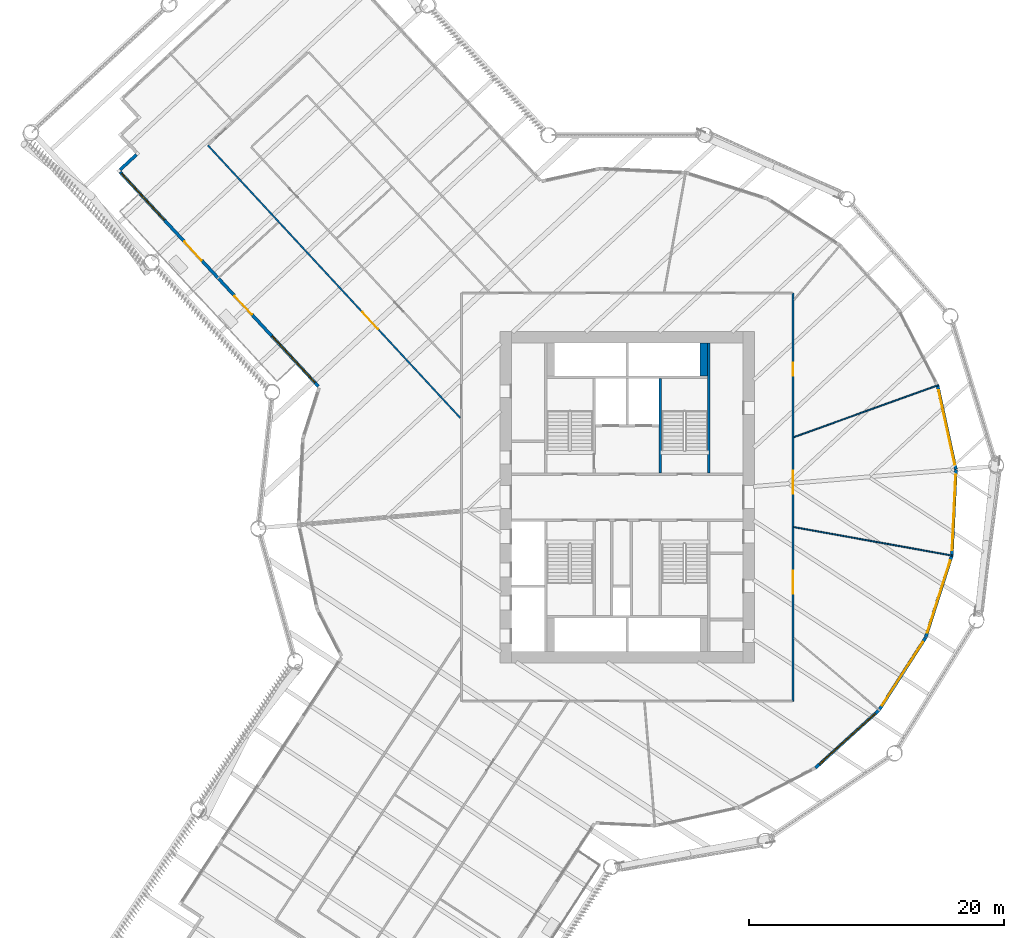
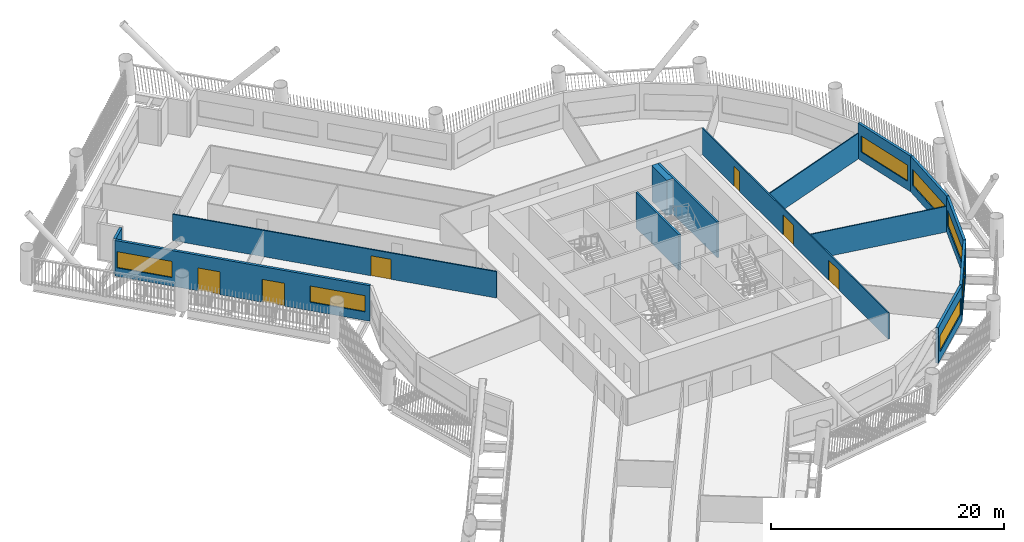
# One storey, part 6 of 22: 14 walls, 7 windows, 6 doors, 13 openings.
"""IFC4 building model written with IfcOpenShell, lengths in metres."""

from ifc_helpers import new_model, si_unit, direction, frame, frame_2d, origin, place, context, subcontext, project, spatial, rectangle, extrude, material, layer, layer_set, type_object, element, fill, save


model = new_model("IFC4")

# Units and contexts
model_context = context("Model", 3, precision=1e-05, world=origin(), true_north=direction((0.0, 1.0)))
body_context = subcontext(model_context, "Body", "Model", "MODEL_VIEW")
ifc_project = project(units=[si_unit("LENGTHUNIT", "METRE"), si_unit("AREAUNIT", "SQUARE_METRE"), si_unit("VOLUMEUNIT", "CUBIC_METRE"), si_unit("PLANEANGLEUNIT", "RADIAN"), si_unit("MASSUNIT", "GRAM", prefix="KILO")], contexts=[model_context])

# Site, building, storey
site_placement = place(None, origin())
site = spatial("IfcSite", under=ifc_project, at=site_placement, CompositionType="ELEMENT")
building_placement = place(site_placement, origin())
building = spatial("IfcBuilding", under=site, at=building_placement, Name="Tarsis Ring Headquarters", CompositionType="ELEMENT")
storey_placement = place(building_placement, frame((0.0, 0.0, 63.39990234375)))
storey = spatial("IfcBuildingStorey", under=building, at=storey_placement, Name="L13", CompositionType="ELEMENT", Elevation=63.39990234375)

# Walls
ifc_material_1 = material(Name="Gypsum board on steel studs", Category="steel")
ifc_layer_1 = layer(ifc_material_1, 0.10009765625)
ifc_layer_set_1 = layer_set([ifc_layer_1], Name="FL partition 100 unrated")
wall_type_1 = type_object("IfcWallType", Name="FL partition 100 unrated", PredefinedType="PARTITIONING", material=ifc_layer_set_1)
wall_1_placement = place(storey_placement, frame((13.06884765625, -2.3515625, 0.0), z_axis=(0.0, 0.0, 1.0), x_axis=(0.984197230571, -0.177075722039, 0.0)))
element("IfcWall", 1, at=wall_1_placement, inside=storey, type_object=wall_type_1, Name="Partition PW3", PredefinedType="PARTITIONING", context=body_context, shape_type="SweptSolid", body=[
    extrude(rectangle(XDim=12.669189453125, YDim=0.10009765625, at=frame_2d((6.33447265625, 0.0))), origin(), (0.0, 0.0, 1.0), 2.7001953125),
])
wall_2_placement = place(storey_placement, frame((13.0751953125, 4.70751953125, 0.0), z_axis=(0.0, 0.0, 1.0), x_axis=(0.94088405447, 0.338728794237, 0.0)))
element("IfcWall", 2, at=wall_2_placement, inside=storey, type_object=wall_type_1, Name="Partition PW3", PredefinedType="PARTITIONING", context=body_context, shape_type="SweptSolid", body=[
    extrude(rectangle(XDim=12.051025390625, YDim=0.10009765625, at=frame_2d((6.025390625, 0.0))), origin(), (0.0, 0.0, 1.0), 2.7001953125),
])

# Wall, openings, doors
ifc_layer_2 = layer(ifc_material_1, 0.125)
ifc_layer_set_2 = layer_set([ifc_layer_2], Name="FL partition 125 EI 60 H2770")
wall_type_2 = type_object("IfcWallType", Name="FL partition 125 EI 60 H2770", PredefinedType="PARTITIONING", material=ifc_layer_set_2)
wall_3_placement = place(storey_placement, frame((13.0, -16.0, 0.0), z_axis=(0.0, 0.0, 1.0), x_axis=(0.0, 1.0, 0.0)))
wall_3 = element("IfcWall", 3, at=wall_3_placement, inside=storey, type_object=wall_type_2, Name="Partition PW1", PredefinedType="PARTITIONING", context=body_context, shape_type="SweptSolid", body=[
    extrude(rectangle(XDim=32.0, YDim=0.125, at=frame_2d((16.0, 0.0))), origin(), (0.0, 0.0, 1.0), 2.77001953125),
])
opening_1_placement = place(wall_3_placement, frame((25.531982421875, 0.0, 0.0)))
opening_1 = element("IfcOpeningElement", 4, at=opening_1_placement, cuts=wall_3, Name="Opening D13.04", PredefinedType="OPENING", context=body_context, shape_type="SweptSolid", body=[
    extrude(rectangle(XDim=1.0, YDim=2.10009765625, at=frame_2d((0.5, 1.050048828125))), frame((0.0, 0.072509765625, 0.0), z_axis=(0.0, -1.0, 0.0), x_axis=(1.0, 0.0, 0.0)), (0.0, 0.0, 1.0), 0.14501953125),
])
opening_2_placement = place(wall_3_placement, frame((16.2705078125, 0.0, 0.0)))
opening_2 = element("IfcOpeningElement", 5, at=opening_2_placement, cuts=wall_3, Name="Opening D13.05", PredefinedType="OPENING", context=body_context, shape_type="SweptSolid", body=[
    extrude(rectangle(XDim=1.800048828125, YDim=2.10009765625, at=frame_2d((0.89990234375, 1.050048828125))), frame((0.0, 0.072509765625, 0.0), z_axis=(0.0, -1.0, 0.0), x_axis=(1.0, 0.0, 0.0)), (0.0, 0.0, 1.0), 0.14501953125),
])
opening_3_placement = place(wall_3_placement, frame((8.4375, 0.0, 0.0)))
opening_3 = element("IfcOpeningElement", 6, at=opening_3_placement, cuts=wall_3, Name="Opening D13.06", PredefinedType="OPENING", context=body_context, shape_type="SweptSolid", body=[
    extrude(rectangle(XDim=1.800048828125, YDim=2.10009765625, at=frame_2d((0.89990234375, 1.050048828125))), frame((0.0, 0.072509765625, 0.0), z_axis=(0.0, -1.0, 0.0), x_axis=(1.0, 0.0, 0.0)), (0.0, 0.0, 1.0), 0.14501953125),
])
ifc_material_2 = material(Name="Fire-rated timber door leaf in steel frame", Category="steel")
door_type_1 = type_object("IfcDoorType", Name="FL door FD60-1000", OperationType="NOTDEFINED", PredefinedType="DOOR", material=ifc_material_2)
door_1_placement = place(opening_1_placement, origin())
door_1 = element("IfcDoor", 7, at=door_1_placement, inside=storey, type_object=door_type_1, Name="Door D13.04", OperationType="SINGLE_SWING_LEFT", OverallHeight=2.10009765625, OverallWidth=1.0, PredefinedType="DOOR", context=body_context, shape_type="SweptSolid", body=[
    extrude(rectangle(XDim=1.0, YDim=2.10009765625, at=frame_2d((0.5, 1.050048828125))), frame((0.0, 0.02490234375, 0.0), z_axis=(0.0, -1.0, 0.0), x_axis=(1.0, 0.0, 0.0)), (0.0, 0.0, 1.0), 0.050048828125),
])
fill(opening_1, door_1)
door_type_2 = type_object("IfcDoorType", Name="FL door FD60-1800", OperationType="DOUBLE_DOOR_SINGLE_SWING", PredefinedType="DOOR", material=ifc_material_2)
door_2_placement = place(opening_2_placement, origin())
door_2 = element("IfcDoor", 8, at=door_2_placement, inside=storey, type_object=door_type_2, Name="Door D13.05", OperationType="DOUBLE_DOOR_SINGLE_SWING", OverallHeight=2.10009765625, OverallWidth=1.800048828125, PredefinedType="DOOR", context=body_context, shape_type="SweptSolid", body=[
    extrude(rectangle(XDim=1.800048828125, YDim=2.10009765625, at=frame_2d((0.89990234375, 1.050048828125))), frame((0.0, 0.02490234375, 0.0), z_axis=(0.0, -1.0, 0.0), x_axis=(1.0, 0.0, 0.0)), (0.0, 0.0, 1.0), 0.050048828125),
])
fill(opening_2, door_2)
door_3_placement = place(opening_3_placement, origin())
door_3 = element("IfcDoor", 9, at=door_3_placement, inside=storey, type_object=door_type_2, Name="Door D13.06", OperationType="DOUBLE_DOOR_SINGLE_SWING", OverallHeight=2.10009765625, OverallWidth=1.800048828125, PredefinedType="DOOR", context=body_context, shape_type="SweptSolid", body=[
    extrude(rectangle(XDim=1.800048828125, YDim=2.10009765625, at=frame_2d((0.89990234375, 1.050048828125))), frame((0.0, 0.02490234375, 0.0), z_axis=(0.0, -1.0, 0.0), x_axis=(1.0, 0.0, 0.0)), (0.0, 0.0, 1.0), 0.050048828125),
])
fill(opening_3, door_3)

# Wall, opening, door
wall_4_placement = place(storey_placement, frame((-32.89892578125, 27.5947265625, 0.0), z_axis=(0.0, 0.0, 1.0), x_axis=(0.679438429969, -0.733732526116, 0.0)))
wall_4 = element("IfcWall", 10, at=wall_4_placement, inside=storey, type_object=wall_type_2, Name="Partition PW1", PredefinedType="PARTITIONING", context=body_context, shape_type="SweptSolid", body=[
    extrude(rectangle(XDim=29.147216796875, YDim=0.125, at=frame_2d((14.57373046875, 0.0))), origin(), (0.0, 0.0, 1.0), 2.77001953125),
])
opening_4_placement = place(wall_4_placement, frame((17.836669921875, 0.0, 0.0)))
opening_4 = element("IfcOpeningElement", 11, at=opening_4_placement, cuts=wall_4, Name="Opening D13.12", PredefinedType="OPENING", context=body_context, shape_type="SweptSolid", body=[
    extrude(rectangle(XDim=1.800048828125, YDim=2.10009765625, at=frame_2d((0.89990234375, 1.050048828125))), frame((0.0, 0.072509765625, 0.0), z_axis=(0.0, -1.0, 0.0), x_axis=(1.0, 0.0, 0.0)), (0.0, 0.0, 1.0), 0.14501953125),
])
door_4_placement = place(opening_4_placement, origin())
door_4 = element("IfcDoor", 12, at=door_4_placement, inside=storey, type_object=door_type_2, Name="Door D13.12", OperationType="DOUBLE_DOOR_SINGLE_SWING", OverallHeight=2.10009765625, OverallWidth=1.800048828125, PredefinedType="DOOR", context=body_context, shape_type="SweptSolid", body=[
    extrude(rectangle(XDim=1.800048828125, YDim=2.10009765625, at=frame_2d((0.89990234375, 1.050048828125))), frame((0.0, 0.02490234375, 0.0), z_axis=(0.0, -1.0, 0.0), x_axis=(1.0, 0.0, 0.0)), (0.0, 0.0, 1.0), 0.050048828125),
])
fill(opening_4, door_4)

# Wall, openings, doors, windows
ifc_material_3 = material(Name="Terracotta clad insulated panel wall", Category="masonry")
ifc_layer_3 = layer(ifc_material_3, 0.25)
ifc_layer_set_3 = layer_set([ifc_layer_3], Name="Facade wall terracotta panel 250")
wall_type_3 = type_object("IfcWallType", Name="Facade wall terracotta panel 250", PredefinedType="STANDARD", material=ifc_layer_set_3)
wall_5_placement = place(storey_placement, frame((-39.79736328125, 25.499755859375, 0.0), z_axis=(0.0, 0.0, 1.0), x_axis=(0.679436066497, -0.733734714692, 0.0)))
wall_5 = element("IfcWall", 13, at=wall_5_placement, inside=storey, type_object=wall_type_3, Name="External wall L13-01", PredefinedType="STANDARD", context=body_context, shape_type="SweptSolid", body=[
    extrude(rectangle(XDim=22.921875, YDim=0.25, at=frame_2d((11.4609375, 0.0))), origin(), (0.0, 0.0, 1.0), 3.739990234375),
])
opening_5_placement = place(wall_5_placement, frame((0.17138671875, 0.0, 0.89990234375)))
opening_5 = element("IfcOpeningElement", 14, at=opening_5_placement, cuts=wall_5, Name="Opening WN05", PredefinedType="OPENING", context=body_context, shape_type="SweptSolid", body=[
    extrude(rectangle(XDim=4.949951171875, YDim=1.699951171875, at=frame_2d((2.47509765625, 0.85009765625))), frame((0.0, 0.135009765625, 0.0), z_axis=(0.0, -1.0, 0.0), x_axis=(1.0, 0.0, 0.0)), (0.0, 0.0, 1.0), 0.27001953125),
])
opening_6_placement = place(wall_5_placement, frame((7.439453125, 0.0, 0.0)))
opening_6 = element("IfcOpeningElement", 15, at=opening_6_placement, cuts=wall_5, Name="Opening L13-BD01", PredefinedType="OPENING", context=body_context, shape_type="SweptSolid", body=[
    extrude(rectangle(XDim=2.0, YDim=2.39990234375, at=frame_2d((1.0, 1.199951171875))), frame((0.0, 0.135009765625, 0.0), z_axis=(0.0, -1.0, 0.0), x_axis=(1.0, 0.0, 0.0)), (0.0, 0.0, 1.0), 0.27001953125),
])
opening_7_placement = place(wall_5_placement, frame((13.232421875, 0.0, 0.0)))
opening_7 = element("IfcOpeningElement", 16, at=opening_7_placement, cuts=wall_5, Name="Opening L13-BD02", PredefinedType="OPENING", context=body_context, shape_type="SweptSolid", body=[
    extrude(rectangle(XDim=2.0, YDim=2.39990234375, at=frame_2d((1.0, 1.199951171875))), frame((0.0, 0.135009765625, 0.0), z_axis=(0.0, -1.0, 0.0), x_axis=(1.0, 0.0, 0.0)), (0.0, 0.0, 1.0), 0.27001953125),
])
opening_8_placement = place(wall_5_placement, frame((17.550537109375, 0.0, 0.89990234375)))
opening_8 = element("IfcOpeningElement", 17, at=opening_8_placement, cuts=wall_5, Name="Opening WN05", PredefinedType="OPENING", context=body_context, shape_type="SweptSolid", body=[
    extrude(rectangle(XDim=4.949951171875, YDim=1.699951171875, at=frame_2d((2.47509765625, 0.85009765625))), frame((0.0, 0.135009765625, 0.0), z_axis=(0.0, -1.0, 0.0), x_axis=(1.0, 0.0, 0.0)), (0.0, 0.0, 1.0), 0.27001953125),
])
ifc_material_4 = material(Name="Aluminium framed double glazing", Category="aluminium")
door_type_3 = type_object("IfcDoorType", Name="Balcony sliding door 2000 x 2400", OperationType="SLIDING_TO_LEFT", PredefinedType="DOOR", material=ifc_material_4)
door_5_placement = place(opening_6_placement, origin())
door_5 = element("IfcDoor", 18, at=door_5_placement, inside=storey, type_object=door_type_3, Name="Door L13-BD01", OperationType="SINGLE_SWING_LEFT", OverallHeight=2.39990234375, OverallWidth=2.0, PredefinedType="DOOR", context=body_context, shape_type="SweptSolid", body=[
    extrude(rectangle(XDim=2.0, YDim=2.39990234375, at=frame_2d((1.0, 1.199951171875))), frame((0.0, 0.02490234375, 0.0), z_axis=(0.0, -1.0, 0.0), x_axis=(1.0, 0.0, 0.0)), (0.0, 0.0, 1.0), 0.050048828125),
])
fill(opening_6, door_5)
door_6_placement = place(opening_7_placement, origin())
door_6 = element("IfcDoor", 19, at=door_6_placement, inside=storey, type_object=door_type_3, Name="Door L13-BD02", OperationType="SINGLE_SWING_LEFT", OverallHeight=2.39990234375, OverallWidth=2.0, PredefinedType="DOOR", context=body_context, shape_type="SweptSolid", body=[
    extrude(rectangle(XDim=2.0, YDim=2.39990234375, at=frame_2d((1.0, 1.199951171875))), frame((0.0, 0.02490234375, 0.0), z_axis=(0.0, -1.0, 0.0), x_axis=(1.0, 0.0, 0.0)), (0.0, 0.0, 1.0), 0.050048828125),
])
fill(opening_7, door_6)
window_type_1 = type_object("IfcWindowType", Name="Facade window 4950 x 1700", PartitioningType="SINGLE_PANEL", PredefinedType="WINDOW", material=ifc_material_4)
window_1_placement = place(opening_5_placement, origin())
window_1 = element("IfcWindow", 20, at=window_1_placement, inside=storey, type_object=window_type_1, Name="Window L13-01.1", OverallHeight=1.699951171875, OverallWidth=4.949951171875, PartitioningType="SINGLE_PANEL", PredefinedType="WINDOW", context=body_context, shape_type="SweptSolid", body=[
    extrude(rectangle(XDim=4.949951171875, YDim=1.699951171875, at=frame_2d((2.47509765625, 0.85009765625))), frame((0.0, 0.030029296875, 0.0), z_axis=(0.0, -1.0, 0.0), x_axis=(1.0, 0.0, 0.0)), (0.0, 0.0, 1.0), 0.06005859375),
])
fill(opening_5, window_1)
window_2_placement = place(opening_8_placement, origin())
window_2 = element("IfcWindow", 21, at=window_2_placement, inside=storey, type_object=window_type_1, Name="Window L13-01.4", OverallHeight=1.699951171875, OverallWidth=4.949951171875, PartitioningType="SINGLE_PANEL", PredefinedType="WINDOW", context=body_context, shape_type="SweptSolid", body=[
    extrude(rectangle(XDim=4.949951171875, YDim=1.699951171875, at=frame_2d((2.47509765625, 0.85009765625))), frame((0.0, 0.030029296875, 0.0), z_axis=(0.0, -1.0, 0.0), x_axis=(1.0, 0.0, 0.0)), (0.0, 0.0, 1.0), 0.06005859375),
])
fill(opening_8, window_2)

# Wall, opening, window
wall_6_placement = place(storey_placement, frame((14.77880859375, -21.2353515625, 0.0), z_axis=(0.0, 0.0, 1.0), x_axis=(0.739629365562, 0.673014414109, 0.0)))
wall_6 = element("IfcWall", 22, at=wall_6_placement, inside=storey, type_object=wall_type_3, Name="External wall L13-20", PredefinedType="STANDARD", context=body_context, shape_type="SweptSolid", body=[
    extrude(rectangle(XDim=6.721435546875, YDim=0.25, at=frame_2d((3.36083984375, 0.0))), origin(), (0.0, 0.0, 1.0), 3.739990234375),
])
opening_9_placement = place(wall_6_placement, frame((0.3857421875, 0.0, 0.89990234375)))
opening_9 = element("IfcOpeningElement", 23, at=opening_9_placement, cuts=wall_6, Name="Opening WN07", PredefinedType="OPENING", context=body_context, shape_type="SweptSolid", body=[
    extrude(rectangle(XDim=5.949951171875, YDim=1.699951171875, at=frame_2d((2.97509765625, 0.85009765625))), frame((0.0, 0.135009765625, 0.0), z_axis=(0.0, -1.0, 0.0), x_axis=(1.0, 0.0, 0.0)), (0.0, 0.0, 1.0), 0.27001953125),
])
window_type_2 = type_object("IfcWindowType", Name="Facade window 5950 x 1700", PartitioningType="SINGLE_PANEL", PredefinedType="WINDOW", material=ifc_material_4)
window_3_placement = place(opening_9_placement, origin())
window_3 = element("IfcWindow", 24, at=window_3_placement, inside=storey, type_object=window_type_2, Name="Window L13-20.1", OverallHeight=1.699951171875, OverallWidth=5.949951171875, PartitioningType="SINGLE_PANEL", PredefinedType="WINDOW", context=body_context, shape_type="SweptSolid", body=[
    extrude(rectangle(XDim=5.949951171875, YDim=1.699951171875, at=frame_2d((2.97509765625, 0.85009765625))), frame((0.0, 0.030029296875, 0.0), z_axis=(0.0, -1.0, 0.0), x_axis=(1.0, 0.0, 0.0)), (0.0, 0.0, 1.0), 0.06005859375),
])
fill(opening_9, window_3)

wall_7_placement = place(storey_placement, frame((19.771240234375, -16.686767578125, 0.0), z_axis=(0.0, 0.0, 1.0), x_axis=(0.54025082343, 0.841504039077, 0.0)))
wall_7 = element("IfcWall", 25, at=wall_7_placement, inside=storey, type_object=wall_type_3, Name="External wall L13-21", PredefinedType="STANDARD", context=body_context, shape_type="SweptSolid", body=[
    extrude(rectangle(XDim=6.7216796875, YDim=0.25, at=frame_2d((3.36083984375, 0.0))), origin(), (0.0, 0.0, 1.0), 3.739990234375),
])
opening_10_placement = place(wall_7_placement, frame((0.3857421875, 0.0, 0.89990234375)))
opening_10 = element("IfcOpeningElement", 26, at=opening_10_placement, cuts=wall_7, Name="Opening WN07", PredefinedType="OPENING", context=body_context, shape_type="SweptSolid", body=[
    extrude(rectangle(XDim=5.949951171875, YDim=1.699951171875, at=frame_2d((2.97509765625, 0.85009765625))), frame((0.0, 0.135009765625, 0.0), z_axis=(0.0, -1.0, 0.0), x_axis=(1.0, 0.0, 0.0)), (0.0, 0.0, 1.0), 0.27001953125),
])
window_4_placement = place(opening_10_placement, origin())
window_4 = element("IfcWindow", 27, at=window_4_placement, inside=storey, type_object=window_type_2, Name="Window L13-21.1", OverallHeight=1.699951171875, OverallWidth=5.949951171875, PartitioningType="SINGLE_PANEL", PredefinedType="WINDOW", context=body_context, shape_type="SweptSolid", body=[
    extrude(rectangle(XDim=5.949951171875, YDim=1.699951171875, at=frame_2d((2.97509765625, 0.85009765625))), frame((0.0, 0.030029296875, 0.0), z_axis=(0.0, -1.0, 0.0), x_axis=(1.0, 0.0, 0.0)), (0.0, 0.0, 1.0), 0.06005859375),
])
fill(opening_10, window_4)

wall_8_placement = place(storey_placement, frame((23.41650390625, -11.0009765625, 0.0), z_axis=(0.0, 0.0, 1.0), x_axis=(0.30401913235, 0.952665926317, 0.0)))
wall_8 = element("IfcWall", 28, at=wall_8_placement, inside=storey, type_object=wall_type_3, Name="External wall L13-22", PredefinedType="STANDARD", context=body_context, shape_type="SweptSolid", body=[
    extrude(rectangle(XDim=6.721435546875, YDim=0.25, at=frame_2d((3.36083984375, 0.0))), origin(), (0.0, 0.0, 1.0), 3.739990234375),
])
opening_11_placement = place(wall_8_placement, frame((0.3857421875, 0.0, 0.89990234375)))
opening_11 = element("IfcOpeningElement", 29, at=opening_11_placement, cuts=wall_8, Name="Opening WN07", PredefinedType="OPENING", context=body_context, shape_type="SweptSolid", body=[
    extrude(rectangle(XDim=5.949951171875, YDim=1.699951171875, at=frame_2d((2.97509765625, 0.85009765625))), frame((0.0, 0.135009765625, 0.0), z_axis=(0.0, -1.0, 0.0), x_axis=(1.0, 0.0, 0.0)), (0.0, 0.0, 1.0), 0.27001953125),
])
window_5_placement = place(opening_11_placement, origin())
window_5 = element("IfcWindow", 30, at=window_5_placement, inside=storey, type_object=window_type_2, Name="Window L13-22.1", OverallHeight=1.699951171875, OverallWidth=5.949951171875, PartitioningType="SINGLE_PANEL", PredefinedType="WINDOW", context=body_context, shape_type="SweptSolid", body=[
    extrude(rectangle(XDim=5.949951171875, YDim=1.699951171875, at=frame_2d((2.97509765625, 0.85009765625))), frame((0.0, 0.030029296875, 0.0), z_axis=(0.0, -1.0, 0.0), x_axis=(1.0, 0.0, 0.0)), (0.0, 0.0, 1.0), 0.06005859375),
])
fill(opening_11, window_5)

wall_9_placement = place(storey_placement, frame((25.4658203125, -4.5654296875, 0.0), z_axis=(0.0, 0.0, 1.0), x_axis=(0.047109558842, 0.998889728381, 0.0)))
wall_9 = element("IfcWall", 31, at=wall_9_placement, inside=storey, type_object=wall_type_3, Name="External wall L13-23", PredefinedType="STANDARD", context=body_context, shape_type="SweptSolid", body=[
    extrude(rectangle(XDim=6.7216796875, YDim=0.25, at=frame_2d((3.36083984375, 0.0))), origin(), (0.0, 0.0, 1.0), 3.739990234375),
])
opening_12_placement = place(wall_9_placement, frame((0.3857421875, 0.0, 0.89990234375)))
opening_12 = element("IfcOpeningElement", 32, at=opening_12_placement, cuts=wall_9, Name="Opening WN07", PredefinedType="OPENING", context=body_context, shape_type="SweptSolid", body=[
    extrude(rectangle(XDim=5.949951171875, YDim=1.699951171875, at=frame_2d((2.97509765625, 0.85009765625))), frame((0.0, 0.135009765625, 0.0), z_axis=(0.0, -1.0, 0.0), x_axis=(1.0, 0.0, 0.0)), (0.0, 0.0, 1.0), 0.27001953125),
])
window_6_placement = place(opening_12_placement, origin())
window_6 = element("IfcWindow", 33, at=window_6_placement, inside=storey, type_object=window_type_2, Name="Window L13-23.1", OverallHeight=1.699951171875, OverallWidth=5.949951171875, PartitioningType="SINGLE_PANEL", PredefinedType="WINDOW", context=body_context, shape_type="SweptSolid", body=[
    extrude(rectangle(XDim=5.949951171875, YDim=1.699951171875, at=frame_2d((2.97509765625, 0.85009765625))), frame((0.0, 0.030029296875, 0.0), z_axis=(0.0, -1.0, 0.0), x_axis=(1.0, 0.0, 0.0)), (0.0, 0.0, 1.0), 0.06005859375),
])
fill(opening_12, window_6)

wall_10_placement = place(storey_placement, frame((25.77978515625, 2.18115234375, 0.0), z_axis=(0.0, 0.0, 1.0), x_axis=(-0.213032797169, 0.977045048772, 0.0)))
wall_10 = element("IfcWall", 34, at=wall_10_placement, inside=storey, type_object=wall_type_3, Name="External wall L13-24", PredefinedType="STANDARD", context=body_context, shape_type="SweptSolid", body=[
    extrude(rectangle(XDim=6.721435546875, YDim=0.25, at=frame_2d((3.36083984375, 0.0))), origin(), (0.0, 0.0, 1.0), 3.739990234375),
])
opening_13_placement = place(wall_10_placement, frame((0.3857421875, 0.0, 0.89990234375)))
opening_13 = element("IfcOpeningElement", 35, at=opening_13_placement, cuts=wall_10, Name="Opening WN07", PredefinedType="OPENING", context=body_context, shape_type="SweptSolid", body=[
    extrude(rectangle(XDim=5.949951171875, YDim=1.699951171875, at=frame_2d((2.97509765625, 0.85009765625))), frame((0.0, 0.135009765625, 0.0), z_axis=(0.0, -1.0, 0.0), x_axis=(1.0, 0.0, 0.0)), (0.0, 0.0, 1.0), 0.27001953125),
])
window_7_placement = place(opening_13_placement, origin())
window_7 = element("IfcWindow", 36, at=window_7_placement, inside=storey, type_object=window_type_2, Name="Window L13-24.1", OverallHeight=1.699951171875, OverallWidth=5.949951171875, PartitioningType="SINGLE_PANEL", PredefinedType="WINDOW", context=body_context, shape_type="SweptSolid", body=[
    extrude(rectangle(XDim=5.949951171875, YDim=1.699951171875, at=frame_2d((2.97509765625, 0.85009765625))), frame((0.0, 0.030029296875, 0.0), z_axis=(0.0, -1.0, 0.0), x_axis=(1.0, 0.0, 0.0)), (0.0, 0.0, 1.0), 0.06005859375),
])
fill(opening_13, window_7)

# Walls
wall_11_placement = place(storey_placement, frame((-38.506591796875, 26.865478515625, 0.0), z_axis=(0.0, 0.0, 1.0), x_axis=(-0.733786431084, -0.67938021281, 0.0)))
element("IfcWall", 37, at=wall_11_placement, inside=storey, type_object=wall_type_3, Name="External wall L13-40", PredefinedType="STANDARD", context=body_context, shape_type="SweptSolid", body=[
    extrude(rectangle(XDim=1.75, YDim=0.25, at=frame_2d((0.875, 0.0))), origin(), (0.0, 0.0, 1.0), 3.739990234375),
])
ifc_material_5 = material(Name="Concrete C32/40", Category="concrete")
ifc_layer_4 = layer(ifc_material_5, 0.60009765625)
ifc_layer_set_4 = layer_set([ifc_layer_4], Name="Shaft end wall 600 C32/40")
wall_type_4 = type_object("IfcWallType", Name="Shaft end wall 600 C32/40", PredefinedType="SOLIDWALL", material=ifc_layer_set_4)
wall_12_placement = place(storey_placement, frame((6.0, 9.5, 0.0), z_axis=(0.0, 0.0, 1.0), x_axis=(0.0, 1.0, 0.0)))
element("IfcWall", 38, at=wall_12_placement, inside=storey, type_object=wall_type_4, Name="Core shaft wall NNE2", PredefinedType="SOLIDWALL", context=body_context, shape_type="SweptSolid", body=[
    extrude(rectangle(XDim=2.60009765625, YDim=0.60009765625, at=frame_2d((1.300048828125, 0.0))), origin(), (0.0, 0.0, 1.0), 3.739990234375),
])
ifc_layer_5 = layer(ifc_material_5, 0.199951171875)
ifc_layer_set_5 = layer_set([ifc_layer_5], Name="Shaft wall 200 C32/40")
wall_type_5 = type_object("IfcWallType", Name="Shaft wall 200 C32/40", PredefinedType="SOLIDWALL", material=ifc_layer_set_5)
wall_13_placement = place(storey_placement, frame((6.39990234375, 1.89990234375, 0.0), z_axis=(0.0, 0.0, 1.0), x_axis=(0.0, 1.0, 0.0)))
element("IfcWall", 39, at=wall_13_placement, inside=storey, type_object=wall_type_5, Name="Core shaft wall EB2", PredefinedType="SOLIDWALL", context=body_context, shape_type="SweptSolid", body=[
    extrude(rectangle(XDim=10.2001953125, YDim=0.199951171875, at=frame_2d((5.10009765625, 0.0))), origin(), (0.0, 0.0, 1.0), 3.739990234375),
])
wall_14_placement = place(storey_placement, frame((2.60009765625, 1.89990234375, 0.0), z_axis=(0.0, 0.0, 1.0), x_axis=(0.0, 1.0, 0.0)))
element("IfcWall", 40, at=wall_14_placement, inside=storey, type_object=wall_type_5, Name="Core shaft wall SW2", PredefinedType="SOLIDWALL", context=body_context, shape_type="SweptSolid", body=[
    extrude(rectangle(XDim=7.400146484375, YDim=0.199951171875, at=frame_2d((3.7001953125, 0.0))), origin(), (0.0, 0.0, 1.0), 3.739990234375),
])

save(model, "model.ifc")
